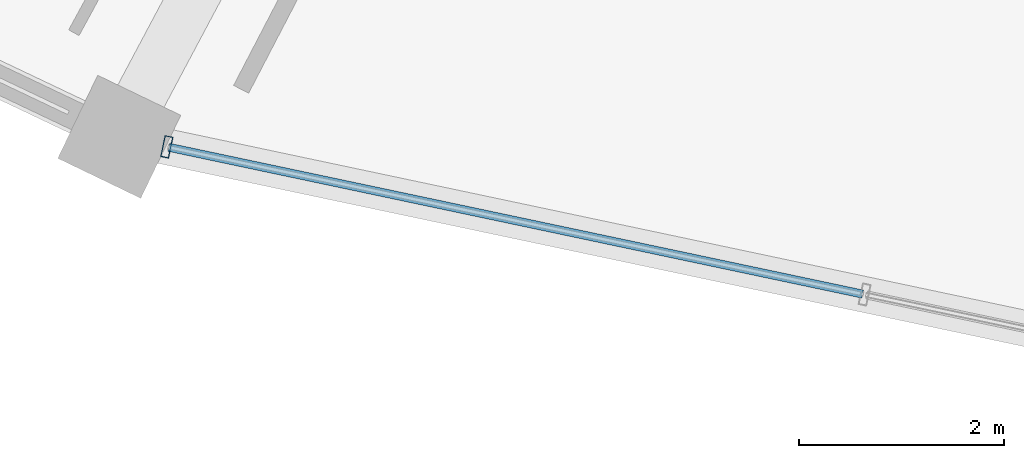
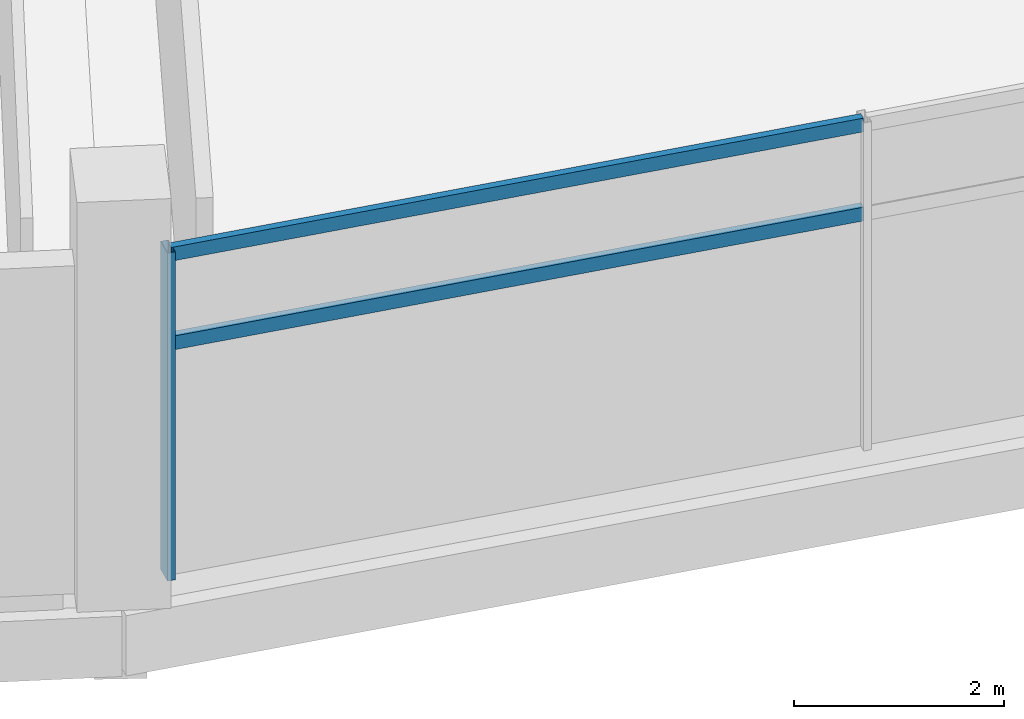
# One storey, part 4 of 171: 3 members, 1 element without a shape of its own.
"""IFC4 building model written with IfcOpenShell, lengths in metres."""

from ifc_helpers import new_model, si_unit, direction, frame, origin, origin_2d, place, context, subcontext, project, spatial, hollow_rectangle, extrude, material, layer, layer_set, material_profile, profile_set, type_object, element, aggregate, save


model = new_model("IFC4")

# Units and contexts
model_context = context("Model", 3, precision=1e-05, world=origin(), true_north=direction((0.0, 1.0)))
body_context = subcontext(model_context, "Body", "Model", "MODEL_VIEW")
ifc_project = project(units=[si_unit("LENGTHUNIT", "METRE"), si_unit("AREAUNIT", "SQUARE_METRE"), si_unit("VOLUMEUNIT", "CUBIC_METRE"), si_unit("PLANEANGLEUNIT", "RADIAN"), si_unit("MASSUNIT", "GRAM", prefix="KILO")], contexts=[model_context])

# Site, building, storey
site_placement = place(None, origin())
site = spatial("IfcSite", under=ifc_project, at=site_placement, CompositionType="ELEMENT")
building_placement = place(site_placement, origin())
building = spatial("IfcBuilding", under=site, at=building_placement, Name="Kazemori Nagisa Stadium", CompositionType="ELEMENT")
storey_placement = place(building_placement, frame((0.0, 0.0, 15.639892578125)))
storey = spatial("IfcBuildingStorey", under=building, at=storey_placement, Name="L03", CompositionType="ELEMENT", Elevation=15.639892578125)

# Curtain wall, members
ifc_material_1 = material(Name="Anodised aluminium 6063-T5", Category="aluminium")
ifc_layer = layer(ifc_material_1, 0.2099609375, Name="Anodised aluminium 6063-T5", Category="aluminium")
ifc_layer_set = layer_set([ifc_layer], Name="Anodised aluminium 6063-T5")
curtain_wall_type = type_object("IfcCurtainWallType", Name="CW_L03R3_105", PredefinedType="USERDEFINED", material=ifc_layer_set)
curtain_wall_placement = place(storey_placement, origin())
curtain_wall = element("IfcCurtainWall", 1, at=curtain_wall_placement, inside=storey, type_object=curtain_wall_type, Name="Unitised curtain wall CW-L03R3-105 L03", ObjectType="UNITISED CURTAIN WALL", PredefinedType="USERDEFINED")
ifc_material_2 = material(Name="Aluminium 6063-T5 anodised", Category="aluminium")
ifc_material_profile_1 = material_profile(ifc_material_2, hollow_rectangle(XDim=0.080078125, YDim=0.2099609375, WallThickness=0.0048828125, at=origin_2d()), Name="ALU-MULL-80x210x5")
ifc_profile_set_1 = profile_set([ifc_material_profile_1], Name="Aluminium 6063-T5 anodised")
member_type_1 = type_object("IfcMemberType", Name="Mullion_M02", PredefinedType="MULLION", material=ifc_profile_set_1)
member_1_placement = place(storey_placement, frame((80.659912109375, 21.4375, 0.0), z_axis=(0.0, 0.0, 1.0), x_axis=(0.978344955407, -0.206981033502, 0.0)))
member_1 = element("IfcMember", 2, at=member_1_placement, type_object=member_type_1, Name="Curtain wall mullion CW-L03R3-105-M1", PredefinedType="MULLION", context=body_context, shape_type="SweptSolid", body=[
    extrude(hollow_rectangle(XDim=0.080078125, YDim=0.2099609375, WallThickness=0.0048828125, at=origin_2d()), origin(), (0.0, 0.0, 1.0), 3.81005859375),
])
ifc_material_profile_2 = material_profile(ifc_material_2, hollow_rectangle(XDim=0.080078125, YDim=0.159912109375, WallThickness=0.00390625, at=origin_2d()), Name="ALU-TRAN-80x160x4")
ifc_profile_set_2 = profile_set([ifc_material_profile_2], Name="Aluminium 6063-T5 anodised")
member_type_2 = type_object("IfcMemberType", Name="Transom_T02", PredefinedType="USERDEFINED", material=ifc_profile_set_2)
member_2_placement = place(storey_placement, frame((80.679443359375, 21.433349609375, 2.705322265625), z_axis=(0.97834174255, -0.206996219252, 0.0), x_axis=(0.206996219252, 0.97834174255, 0.0)))
member_2 = element("IfcMember", 3, at=member_2_placement, type_object=member_type_2, Name="Curtain wall transom CW-L03R3-105-T1-mid", ObjectType="TRANSOM", PredefinedType="USERDEFINED", context=body_context, shape_type="SweptSolid", body=[
    extrude(hollow_rectangle(XDim=0.080078125, YDim=0.159912109375, WallThickness=0.00390625, at=origin_2d()), origin(), (0.0, 0.0, 1.0), 6.9267578125),
])
member_3_placement = place(storey_placement, frame((80.679443359375, 21.433349609375, 3.739990234375), z_axis=(0.97834174255, -0.206996219252, 0.0), x_axis=(0.206996219252, 0.97834174255, 0.0)))
member_3 = element("IfcMember", 4, at=member_3_placement, type_object=member_type_2, Name="Curtain wall transom CW-L03R3-105-T1-head", ObjectType="TRANSOM", PredefinedType="USERDEFINED", context=body_context, shape_type="SweptSolid", body=[
    extrude(hollow_rectangle(XDim=0.080078125, YDim=0.159912109375, WallThickness=0.00390625, at=origin_2d()), origin(), (0.0, 0.0, 1.0), 6.9267578125),
])
aggregate(curtain_wall, [member_1, member_2, member_3])

save(model, "model.ifc")
